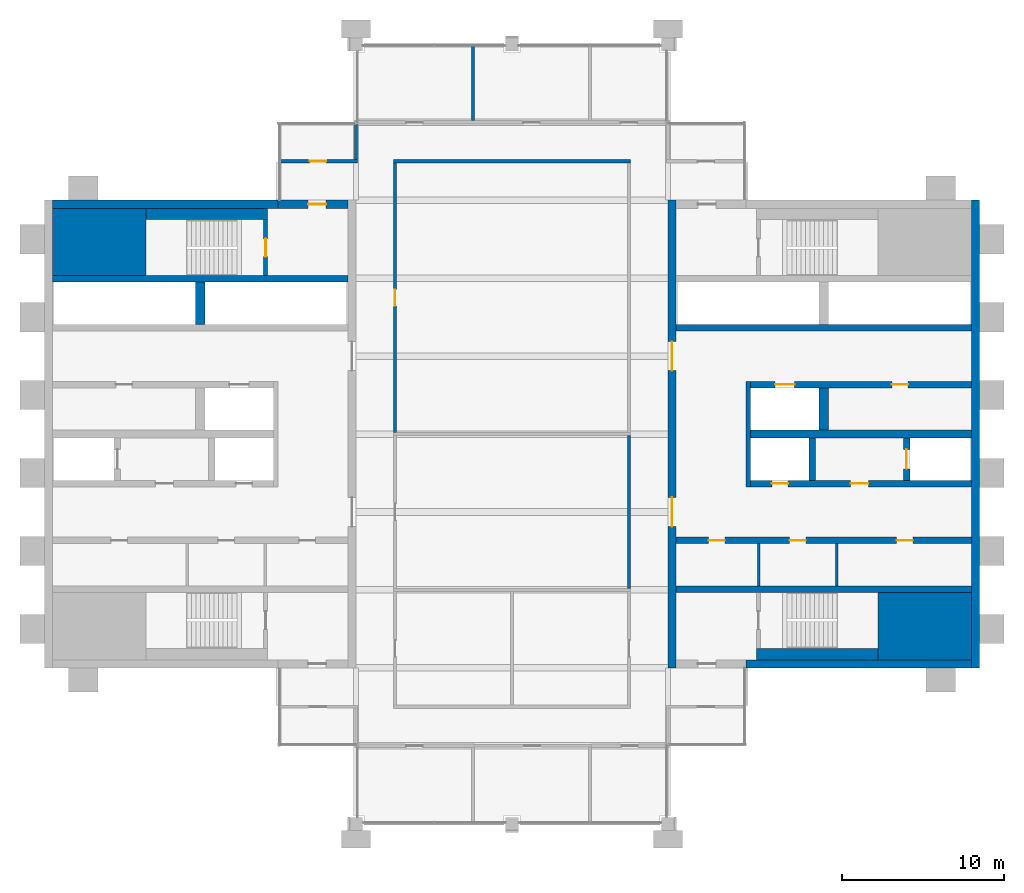
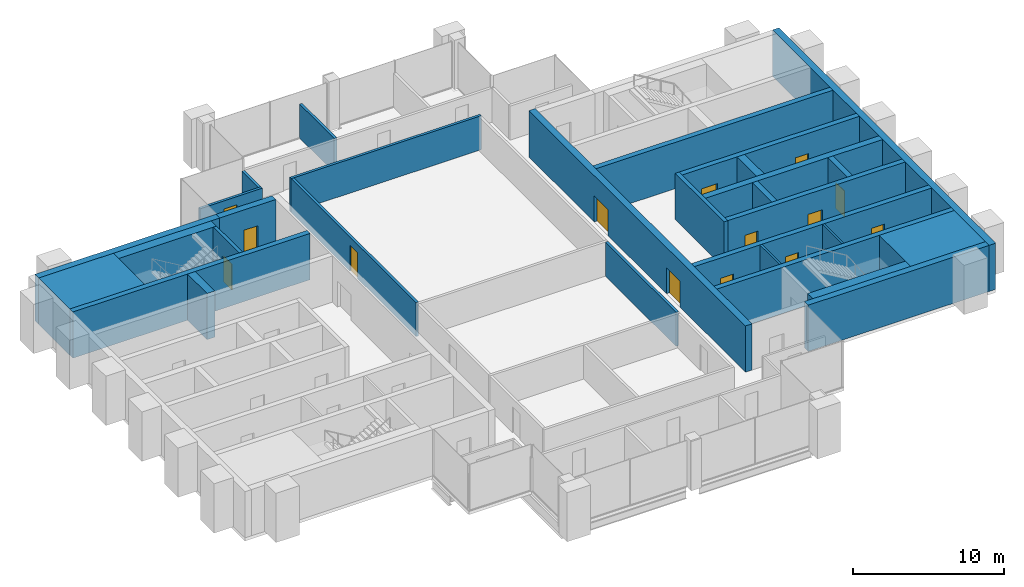
# One storey, part 9 of 11: 30 walls, 14 doors, 14 openings.
"""IFC4 building model written with IfcOpenShell, lengths in metres."""

from ifc_helpers import new_model, si_unit, direction, frame, frame_2d, origin, place, context, subcontext, project, spatial, rectangle, extrude, material, layer, layer_set, type_object, element, fill, save


model = new_model("IFC4")

# Units and contexts
model_context = context("Model", 3, precision=1e-05, world=origin(), true_north=direction((0.0, 1.0)))
body_context = subcontext(model_context, "Body", "Model", "MODEL_VIEW")
ifc_project = project(units=[si_unit("LENGTHUNIT", "METRE"), si_unit("AREAUNIT", "SQUARE_METRE"), si_unit("VOLUMEUNIT", "CUBIC_METRE"), si_unit("PLANEANGLEUNIT", "RADIAN"), si_unit("MASSUNIT", "GRAM", prefix="KILO")], contexts=[model_context])

# Site, building, storey
site_placement = place(None, origin())
site = spatial("IfcSite", under=ifc_project, at=site_placement, CompositionType="ELEMENT")
building_placement = place(site_placement, origin())
building = spatial("IfcBuilding", under=site, at=building_placement, Name="Baori Bourse Tower", CompositionType="ELEMENT")
storey_placement = place(building_placement, frame((0.0, 0.0, 354.300048828125)))
storey = spatial("IfcBuildingStorey", under=building, at=storey_placement, Name="L79", CompositionType="ELEMENT", Elevation=354.300048828125)

# Walls
ifc_material_1 = material(Name="Concrete f'c 40 MPa", Category="concrete")
wall_type_1 = type_object("IfcWallType", Name="Core corner block f'c 40", PredefinedType="SHEAR", material=ifc_material_1)
for number, where, z_axis, x_axis, name in (
    (1, (0.5, 35.824951171875, 0.0), (0.0, 0.0, 1.0), (1.0, 0.0, 0.0), "Core wall W22"),
    (2, (51.35009765625, 12.175048828125, 0.0), (0.0, 0.0, 1.0), (1.0, 0.0, 0.0), "Core wall E05"),
):
    element("IfcWall", number, at=place(storey_placement, frame(where, z_axis=z_axis, x_axis=x_axis)), inside=storey, type_object=wall_type_1, Name=name, PredefinedType="SHEAR", context=body_context, shape_type="SweptSolid", body=[
        extrude(rectangle(XDim=5.75, YDim=4.14990234375, at=frame_2d((2.875, 0.0))), origin(), (0.0, 0.0, 1.0), 3.75),
    ])
ifc_material_2 = material(Name="Blockwork partition", Category="masonry")
ifc_layer_1 = layer(ifc_material_2, 0.14990234375)
ifc_layer_set_1 = layer_set([ifc_layer_1], Name="Core partition 150")
wall_type_2 = type_object("IfcWallType", Name="Core partition 150", PredefinedType="PARTITIONING", material=ifc_layer_set_1)
for number, where, z_axis, x_axis, name in (
    (3, (48.800048828125, 14.64990234375, 0.0), (0.0, 0.0, 1.0), (0.0, 1.0, 0.0), "Partition wall E09"),
    (4, (44.0, 14.64990234375, 0.0), (0.0, 0.0, 1.0), (0.0, 1.0, 0.0), "Partition wall E10"),
):
    element("IfcWall", number, at=place(storey_placement, frame(where, z_axis=z_axis, x_axis=x_axis)), inside=storey, type_object=wall_type_2, Name=name, PredefinedType="PARTITIONING", context=body_context, shape_type="SweptSolid", body=[
        extrude(rectangle(XDim=2.60009765625, YDim=0.14990234375, at=frame_2d((1.300048828125, 0.0))), origin(), (0.0, 0.0, 1.0), 3.75),
    ])
ifc_material_3 = material(Name="Concrete f'c 40 MPa", Category="concrete")
ifc_layer_2 = layer(ifc_material_3, 0.5)
ifc_layer_set_2 = layer_set([ifc_layer_2], Name="Core wall 500 f'c 40")
wall_type_3 = type_object("IfcWallType", Name="Core wall 500 f'c 40", PredefinedType="SHEAR", material=ifc_layer_set_2)
wall_1_placement = place(storey_placement, frame((0.5, 38.14990234375, 0.0), z_axis=(0.0, 0.0, 1.0), x_axis=(1.0, 0.0, 0.0)))
element("IfcWall", 5, at=wall_1_placement, inside=storey, type_object=wall_type_3, Name="Core wall W25", PredefinedType="SHEAR", context=body_context, shape_type="SweptSolid", body=[
    extrude(rectangle(XDim=13.89990234375, YDim=0.5, at=frame_2d((6.949951171875, 0.0))), origin(), (0.0, 0.0, 1.0), 3.75),
])

# Wall, opening, door
wall_2_placement = place(storey_placement, frame((14.39990234375, 38.14990234375, 0.0), z_axis=(0.0, 0.0, 1.0), x_axis=(1.0, 0.0, 0.0)))
wall_2 = element("IfcWall", 6, at=wall_2_placement, inside=storey, type_object=wall_type_3, Name="Core wall W26", PredefinedType="SHEAR", context=body_context, shape_type="SweptSolid", body=[
    extrude(rectangle(XDim=4.300048828125, YDim=0.5, at=frame_2d((2.14990234375, 0.0))), origin(), (0.0, 0.0, 1.0), 3.75),
])
opening_1_placement = place(wall_2_placement, frame((1.85009765625, 0.0, 0.0)))
opening_1 = element("IfcOpeningElement", 7, at=opening_1_placement, cuts=wall_2, Name="Opening L79-D104", PredefinedType="OPENING", context=body_context, shape_type="SweptSolid", body=[
    extrude(rectangle(XDim=1.10009765625, YDim=2.10009765625, at=frame_2d((0.550048828125, 1.050048828125))), frame((0.0, 0.260009765625, 0.0), z_axis=(0.0, -1.0, 0.0), x_axis=(1.0, 0.0, 0.0)), (0.0, 0.0, 1.0), 0.52001953125),
])
ifc_material_4 = material(Name="Painted steel door", Category="steel")
door_type_1 = type_object("IfcDoorType", Name="Stair door 1100", OperationType="SINGLE_SWING_LEFT", PredefinedType="DOOR", material=ifc_material_4)
door_1_placement = place(opening_1_placement, origin())
door_1 = element("IfcDoor", 8, at=door_1_placement, inside=storey, type_object=door_type_1, Name="Stair vestibule door B W L79", OperationType="SINGLE_SWING_LEFT", OverallHeight=2.10009765625, OverallWidth=1.10009765625, PredefinedType="DOOR", context=body_context, shape_type="SweptSolid", body=[
    extrude(rectangle(XDim=1.10009765625, YDim=2.10009765625, at=frame_2d((0.550048828125, 1.050048828125))), frame((0.0, 0.02490234375, 0.0), z_axis=(0.0, -1.0, 0.0), x_axis=(1.0, 0.0, 0.0)), (0.0, 0.0, 1.0), 0.050048828125),
])
fill(opening_1, door_1)

# Walls
wall_3_placement = place(storey_placement, frame((57.35009765625, 38.39990234375, 0.0), z_axis=(0.0, 0.0, 1.0), x_axis=(0.0, -1.0, 0.0)))
element("IfcWall", 9, at=wall_3_placement, inside=storey, type_object=wall_type_3, Name="Core wall E01", PredefinedType="SHEAR", context=body_context, shape_type="SweptSolid", body=[
    extrude(rectangle(XDim=28.7998046875, YDim=0.5, at=frame_2d((14.39990234375, 0.0))), origin(), (0.0, 0.0, 1.0), 3.75),
])
wall_4_placement = place(storey_placement, frame((57.10009765625, 9.85009765625, 0.0), z_axis=(0.0, 0.0, 1.0), x_axis=(-1.0, 0.0, 0.0)))
element("IfcWall", 10, at=wall_4_placement, inside=storey, type_object=wall_type_3, Name="Core wall E02", PredefinedType="SHEAR", context=body_context, shape_type="SweptSolid", body=[
    extrude(rectangle(XDim=13.900146484375, YDim=0.5, at=frame_2d((6.9501953125, 0.0))), origin(), (0.0, 0.0, 1.0), 3.75),
])

# Wall, openings, doors
wall_5_placement = place(storey_placement, frame((38.64990234375, 9.60009765625, 0.0), z_axis=(0.0, 0.0, 1.0), x_axis=(0.0, 1.0, 0.0)))
wall_5 = element("IfcWall", 11, at=wall_5_placement, inside=storey, type_object=wall_type_3, Name="Core wall E04", PredefinedType="SHEAR", context=body_context, shape_type="SweptSolid", body=[
    extrude(rectangle(XDim=28.7998046875, YDim=0.5, at=frame_2d((14.39990234375, 0.0))), origin(), (0.0, 0.0, 1.0), 3.75),
])
opening_2_placement = place(wall_5_placement, frame((8.699951171875, 0.0, 0.0)))
opening_2 = element("IfcOpeningElement", 12, at=opening_2_placement, cuts=wall_5, Name="Opening L79-D207", PredefinedType="OPENING", context=body_context, shape_type="SweptSolid", body=[
    extrude(rectangle(XDim=1.800048828125, YDim=2.10009765625, at=frame_2d((0.89990234375, 1.050048828125))), frame((0.0, 0.260009765625, 0.0), z_axis=(0.0, -1.0, 0.0), x_axis=(1.0, 0.0, 0.0)), (0.0, 0.0, 1.0), 0.52001953125),
])
opening_3_placement = place(wall_5_placement, frame((18.300048828125, 0.0, 0.0)))
opening_3 = element("IfcOpeningElement", 13, at=opening_3_placement, cuts=wall_5, Name="Opening L79-D208", PredefinedType="OPENING", context=body_context, shape_type="SweptSolid", body=[
    extrude(rectangle(XDim=1.800048828125, YDim=2.10009765625, at=frame_2d((0.89990234375, 1.050048828125))), frame((0.0, 0.260009765625, 0.0), z_axis=(0.0, -1.0, 0.0), x_axis=(1.0, 0.0, 0.0)), (0.0, 0.0, 1.0), 0.52001953125),
])
ifc_material_5 = material(Name="Painted steel door", Category="steel")
door_type_2 = type_object("IfcDoorType", Name="Core lobby door 1800", OperationType="DOUBLE_DOOR_SINGLE_SWING", PredefinedType="DOOR", material=ifc_material_5)
door_2_placement = place(opening_2_placement, origin())
door_2 = element("IfcDoor", 14, at=door_2_placement, inside=storey, type_object=door_type_2, Name="Lobby door E L79", OperationType="DOUBLE_DOOR_SINGLE_SWING", OverallHeight=2.10009765625, OverallWidth=1.800048828125, PredefinedType="DOOR", context=body_context, shape_type="SweptSolid", body=[
    extrude(rectangle(XDim=1.800048828125, YDim=2.10009765625, at=frame_2d((0.89990234375, 1.050048828125))), frame((0.0, 0.02490234375, 0.0), z_axis=(0.0, -1.0, 0.0), x_axis=(1.0, 0.0, 0.0)), (0.0, 0.0, 1.0), 0.050048828125),
])
fill(opening_2, door_2)
door_3_placement = place(opening_3_placement, origin())
door_3 = element("IfcDoor", 15, at=door_3_placement, inside=storey, type_object=door_type_2, Name="Lobby door E L79", OperationType="DOUBLE_DOOR_SINGLE_SWING", OverallHeight=2.10009765625, OverallWidth=1.800048828125, PredefinedType="DOOR", context=body_context, shape_type="SweptSolid", body=[
    extrude(rectangle(XDim=1.800048828125, YDim=2.10009765625, at=frame_2d((0.89990234375, 1.050048828125))), frame((0.0, 0.02490234375, 0.0), z_axis=(0.0, -1.0, 0.0), x_axis=(1.0, 0.0, 0.0)), (0.0, 0.0, 1.0), 0.050048828125),
])
fill(opening_3, door_3)

# Wall, opening, door
ifc_material_6 = material(Name="Gypsum board partition")
ifc_layer_3 = layer(ifc_material_6, 0.199951171875)
ifc_layer_set_3 = layer_set([ifc_layer_3], Name="Plant room wall 200")
wall_type_4 = type_object("IfcWallType", Name="Plant room wall 200", PredefinedType="PARTITIONING", material=ifc_layer_set_3)
wall_6_placement = place(storey_placement, frame((14.5, 40.800048828125, 0.0), z_axis=(0.0, 0.0, 1.0), x_axis=(1.0, 0.0, 0.0)))
wall_6 = element("IfcWall", 16, at=wall_6_placement, inside=storey, type_object=wall_type_4, Name="Partition", PredefinedType="PARTITIONING", context=body_context, shape_type="SweptSolid", body=[
    extrude(rectangle(XDim=4.800048828125, YDim=0.199951171875, at=frame_2d((2.39990234375, 0.0))), origin(), (0.0, 0.0, 1.0), 2.75927734375),
])
opening_4_placement = place(wall_6_placement, frame((1.85009765625, 0.0, 0.0)))
opening_4 = element("IfcOpeningElement", 17, at=opening_4_placement, cuts=wall_6, Name="Opening L79-D06", PredefinedType="OPENING", context=body_context, shape_type="SweptSolid", body=[
    extrude(rectangle(XDim=1.0, YDim=2.10009765625, at=frame_2d((0.5, 1.050048828125))), frame((0.0, 0.10986328125, 0.0), z_axis=(0.0, -1.0, 0.0), x_axis=(1.0, 0.0, 0.0)), (0.0, 0.0, 1.0), 0.219970703125),
])
ifc_material_7 = material(Name="Timber door leaf", Category="wood")
door_type_3 = type_object("IfcDoorType", Name="Door 1000 x 2100", OperationType="SINGLE_SWING_LEFT", PredefinedType="DOOR", material=ifc_material_7)
door_4_placement = place(opening_4_placement, origin())
door_4 = element("IfcDoor", 18, at=door_4_placement, inside=storey, type_object=door_type_3, Name="Door", OperationType="SINGLE_SWING_RIGHT", OverallHeight=2.10009765625, OverallWidth=1.0, PredefinedType="DOOR", context=body_context, shape_type="SweptSolid", body=[
    extrude(rectangle(XDim=1.0, YDim=2.10009765625, at=frame_2d((0.5, 1.050048828125))), frame((0.0, 0.02490234375, 0.0), z_axis=(0.0, -1.0, 0.0), x_axis=(1.0, 0.0, 0.0)), (0.0, 0.0, 1.0), 0.050048828125),
])
fill(opening_4, door_4)

# Walls
wall_7_placement = place(storey_placement, frame((21.5, 40.800048828125, 0.0), z_axis=(0.0, 0.0, 1.0), x_axis=(1.0, 0.0, 0.0)))
element("IfcWall", 19, at=wall_7_placement, inside=storey, type_object=wall_type_4, Name="Partition", PredefinedType="PARTITIONING", context=body_context, shape_type="SweptSolid", body=[
    extrude(rectangle(XDim=14.60009765625, YDim=0.199951171875, at=frame_2d((7.300048828125, 0.0))), origin(), (0.0, 0.0, 1.0), 2.75927734375),
])
wall_8_placement = place(storey_placement, frame((19.199951171875, 40.89990234375, 0.0), z_axis=(0.0, 0.0, 1.0), x_axis=(0.0, 1.0, 0.0)))
element("IfcWall", 20, at=wall_8_placement, inside=storey, type_object=wall_type_4, Name="Partition", PredefinedType="PARTITIONING", context=body_context, shape_type="SweptSolid", body=[
    extrude(rectangle(XDim=2.2001953125, YDim=0.199951171875, at=frame_2d((1.10009765625, 0.0))), origin(), (0.0, 0.0, 1.0), 2.75927734375),
])

# Wall, opening, door
wall_9_placement = place(storey_placement, frame((21.60009765625, 24.10009765625, 0.0), z_axis=(0.0, 0.0, 1.0), x_axis=(0.0, 1.0, 0.0)))
wall_9 = element("IfcWall", 21, at=wall_9_placement, inside=storey, type_object=wall_type_4, Name="Partition", PredefinedType="PARTITIONING", context=body_context, shape_type="SweptSolid", body=[
    extrude(rectangle(XDim=16.599853515625, YDim=0.199951171875, at=frame_2d((8.2998046875, 0.0))), origin(), (0.0, 0.0, 1.0), 2.75927734375),
])
opening_5_placement = place(wall_9_placement, frame((7.800048828125, 0.0, 0.0)))
opening_5 = element("IfcOpeningElement", 22, at=opening_5_placement, cuts=wall_9, Name="Opening L79-D13", PredefinedType="OPENING", context=body_context, shape_type="SweptSolid", body=[
    extrude(rectangle(XDim=1.0, YDim=2.10009765625, at=frame_2d((0.5, 1.050048828125))), frame((0.0, 0.10986328125, 0.0), z_axis=(0.0, -1.0, 0.0), x_axis=(1.0, 0.0, 0.0)), (0.0, 0.0, 1.0), 0.219970703125),
])
door_5_placement = place(opening_5_placement, origin())
door_5 = element("IfcDoor", 23, at=door_5_placement, inside=storey, type_object=door_type_3, Name="Door", OperationType="SINGLE_SWING_LEFT", OverallHeight=2.10009765625, OverallWidth=1.0, PredefinedType="DOOR", context=body_context, shape_type="SweptSolid", body=[
    extrude(rectangle(XDim=1.0, YDim=2.10009765625, at=frame_2d((0.5, 1.050048828125))), frame((0.0, 0.02490234375, 0.0), z_axis=(0.0, -1.0, 0.0), x_axis=(1.0, 0.0, 0.0)), (0.0, 0.0, 1.0), 0.050048828125),
])
fill(opening_5, door_5)

# Walls
wall_10_placement = place(storey_placement, frame((26.39990234375, 43.300048828125, 0.0), z_axis=(0.0, 0.0, 1.0), x_axis=(0.0, 1.0, 0.0)))
element("IfcWall", 24, at=wall_10_placement, inside=storey, type_object=wall_type_4, Name="Partition", PredefinedType="PARTITIONING", context=body_context, shape_type="SweptSolid", body=[
    extrude(rectangle(XDim=4.599853515625, YDim=0.199951171875, at=frame_2d((2.2998046875, 0.0))), origin(), (0.0, 0.0, 1.0), 2.75927734375),
])
wall_11_placement = place(storey_placement, frame((36.0, 14.5, 0.0), z_axis=(0.0, 0.0, 1.0), x_axis=(0.0, 1.0, 0.0)))
element("IfcWall", 25, at=wall_11_placement, inside=storey, type_object=wall_type_4, Name="Partition", PredefinedType="PARTITIONING", context=body_context, shape_type="SweptSolid", body=[
    extrude(rectangle(XDim=9.39990234375, YDim=0.199951171875, at=frame_2d((4.699951171875, 0.0))), origin(), (0.0, 0.0, 1.0), 2.75927734375),
])

# Wall, opening, door
ifc_material_8 = material(Name="Concrete f'c 40 MPa", Category="concrete")
ifc_layer_4 = layer(ifc_material_8, 0.25)
ifc_layer_set_4 = layer_set([ifc_layer_4], Name="Shaft wall 250 f'c 40")
wall_type_5 = type_object("IfcWallType", Name="Shaft wall 250 f'c 40", PredefinedType="SHEAR", material=ifc_layer_set_4)
wall_12_placement = place(storey_placement, frame((13.625, 33.75, 0.0), z_axis=(0.0, 0.0, 1.0), x_axis=(0.0, 1.0, 0.0)))
wall_12 = element("IfcWall", 26, at=wall_12_placement, inside=storey, type_object=wall_type_5, Name="Core wall W23", PredefinedType="SHEAR", context=body_context, shape_type="SweptSolid", body=[
    extrude(rectangle(XDim=3.449951171875, YDim=0.25, at=frame_2d((1.72509765625, 0.0))), origin(), (0.0, 0.0, 1.0), 3.75),
])
opening_6_placement = place(wall_12_placement, frame((1.175048828125, 0.0, 0.0)))
opening_6 = element("IfcOpeningElement", 27, at=opening_6_placement, cuts=wall_12, Name="Opening L79-D103", PredefinedType="OPENING", context=body_context, shape_type="SweptSolid", body=[
    extrude(rectangle(XDim=1.10009765625, YDim=2.10009765625, at=frame_2d((0.550048828125, 1.050048828125))), frame((0.0, 0.135009765625, 0.0), z_axis=(0.0, -1.0, 0.0), x_axis=(1.0, 0.0, 0.0)), (0.0, 0.0, 1.0), 0.27001953125),
])
door_6_placement = place(opening_6_placement, origin())
door_6 = element("IfcDoor", 28, at=door_6_placement, inside=storey, type_object=door_type_1, Name="Stair door B W L79", OperationType="SINGLE_SWING_LEFT", OverallHeight=2.10009765625, OverallWidth=1.10009765625, PredefinedType="DOOR", context=body_context, shape_type="SweptSolid", body=[
    extrude(rectangle(XDim=1.10009765625, YDim=2.10009765625, at=frame_2d((0.550048828125, 1.050048828125))), frame((0.0, 0.02490234375, 0.0), z_axis=(0.0, -1.0, 0.0), x_axis=(1.0, 0.0, 0.0)), (0.0, 0.0, 1.0), 0.050048828125),
])
fill(opening_6, door_6)

# Walls
ifc_material_9 = material(Name="Concrete f'c 40 MPa", Category="concrete")
ifc_layer_5 = layer(ifc_material_9, 0.300048828125)
ifc_layer_set_5 = layer_set([ifc_layer_5], Name="Shaft wall 300 f'c 40")
wall_type_6 = type_object("IfcWallType", Name="Shaft wall 300 f'c 40", PredefinedType="SHEAR", material=ifc_layer_set_5)
wall_13_placement = place(storey_placement, frame((43.35009765625, 20.75, 0.0), z_axis=(0.0, 0.0, 1.0), x_axis=(0.0, 1.0, 0.0)))
element("IfcWall", 29, at=wall_13_placement, inside=storey, type_object=wall_type_6, Name="Core wall E13", PredefinedType="SHEAR", context=body_context, shape_type="SweptSolid", body=[
    extrude(rectangle(XDim=6.5, YDim=0.300048828125, at=frame_2d((3.25, 0.0))), origin(), (0.0, 0.0, 1.0), 3.75),
])
ifc_material_10 = material(Name="Concrete f'c 40 MPa", Category="concrete")
ifc_layer_6 = layer(ifc_material_10, 0.39990234375)
ifc_layer_set_6 = layer_set([ifc_layer_6], Name="Shaft wall 400 f'c 40")
wall_type_7 = type_object("IfcWallType", Name="Shaft wall 400 f'c 40", PredefinedType="SHEAR", material=ifc_layer_set_6)
wall_14_placement = place(storey_placement, frame((0.5, 33.550048828125, 0.0), z_axis=(0.0, 0.0, 1.0), x_axis=(1.0, 0.0, 0.0)))
element("IfcWall", 30, at=wall_14_placement, inside=storey, type_object=wall_type_7, Name="Core wall W21", PredefinedType="SHEAR", context=body_context, shape_type="SweptSolid", body=[
    extrude(rectangle(XDim=18.199951171875, YDim=0.39990234375, at=frame_2d((9.10009765625, 0.0))), origin(), (0.0, 0.0, 1.0), 3.75),
])
wall_15_placement = place(storey_placement, frame((38.89990234375, 14.449951171875, 0.0), z_axis=(0.0, 0.0, 1.0), x_axis=(1.0, 0.0, 0.0)))
element("IfcWall", 31, at=wall_15_placement, inside=storey, type_object=wall_type_7, Name="Core wall E08", PredefinedType="SHEAR", context=body_context, shape_type="SweptSolid", body=[
    extrude(rectangle(XDim=18.2001953125, YDim=0.39990234375, at=frame_2d((9.10009765625, 0.0))), origin(), (0.0, 0.0, 1.0), 3.75),
])

# Wall, openings, doors
wall_16_placement = place(storey_placement, frame((38.89990234375, 17.449951171875, 0.0), z_axis=(0.0, 0.0, 1.0), x_axis=(1.0, 0.0, 0.0)))
wall_16 = element("IfcWall", 32, at=wall_16_placement, inside=storey, type_object=wall_type_7, Name="Core wall E11", PredefinedType="SHEAR", context=body_context, shape_type="SweptSolid", body=[
    extrude(rectangle(XDim=18.2001953125, YDim=0.39990234375, at=frame_2d((9.10009765625, 0.0))), origin(), (0.0, 0.0, 1.0), 3.75),
])
opening_7_placement = place(wall_16_placement, frame((13.58740234375, 0.0, 0.0)))
opening_7 = element("IfcOpeningElement", 33, at=opening_7_placement, cuts=wall_16, Name="Opening L79-D209", PredefinedType="OPENING", context=body_context, shape_type="SweptSolid", body=[
    extrude(rectangle(XDim=1.0, YDim=2.10009765625, at=frame_2d((0.5, 1.050048828125))), frame((0.0, 0.2099609375, 0.0), z_axis=(0.0, -1.0, 0.0), x_axis=(1.0, 0.0, 0.0)), (0.0, 0.0, 1.0), 0.419921875),
])
opening_8_placement = place(wall_16_placement, frame((7.0, 0.0, 0.0)))
opening_8 = element("IfcOpeningElement", 34, at=opening_8_placement, cuts=wall_16, Name="Opening L79-D210", PredefinedType="OPENING", context=body_context, shape_type="SweptSolid", body=[
    extrude(rectangle(XDim=1.0, YDim=2.10009765625, at=frame_2d((0.5, 1.050048828125))), frame((0.0, 0.2099609375, 0.0), z_axis=(0.0, -1.0, 0.0), x_axis=(1.0, 0.0, 0.0)), (0.0, 0.0, 1.0), 0.419921875),
])
opening_9_placement = place(wall_16_placement, frame((2.012451171875, 0.0, 0.0)))
opening_9 = element("IfcOpeningElement", 35, at=opening_9_placement, cuts=wall_16, Name="Opening L79-D211", PredefinedType="OPENING", context=body_context, shape_type="SweptSolid", body=[
    extrude(rectangle(XDim=1.0, YDim=2.10009765625, at=frame_2d((0.5, 1.050048828125))), frame((0.0, 0.2099609375, 0.0), z_axis=(0.0, -1.0, 0.0), x_axis=(1.0, 0.0, 0.0)), (0.0, 0.0, 1.0), 0.419921875),
])
ifc_material_11 = material(Name="Painted steel door", Category="steel")
door_type_4 = type_object("IfcDoorType", Name="Plant room door 1000", OperationType="SINGLE_SWING_LEFT", PredefinedType="DOOR", material=ifc_material_11)
door_7_placement = place(opening_7_placement, origin())
door_7 = element("IfcDoor", 36, at=door_7_placement, inside=storey, type_object=door_type_4, Name="Air Handling Fan Room door E L79", OperationType="SINGLE_SWING_LEFT", OverallHeight=2.10009765625, OverallWidth=1.0, PredefinedType="DOOR", context=body_context, shape_type="SweptSolid", body=[
    extrude(rectangle(XDim=1.0, YDim=2.10009765625, at=frame_2d((0.5, 1.050048828125))), frame((0.0, 0.02490234375, 0.0), z_axis=(0.0, -1.0, 0.0), x_axis=(1.0, 0.0, 0.0)), (0.0, 0.0, 1.0), 0.050048828125),
])
fill(opening_7, door_7)
door_8_placement = place(opening_8_placement, origin())
door_8 = element("IfcDoor", 37, at=door_8_placement, inside=storey, type_object=door_type_4, Name="Electrical Room door E L79", OperationType="SINGLE_SWING_LEFT", OverallHeight=2.10009765625, OverallWidth=1.0, PredefinedType="DOOR", context=body_context, shape_type="SweptSolid", body=[
    extrude(rectangle(XDim=1.0, YDim=2.10009765625, at=frame_2d((0.5, 1.050048828125))), frame((0.0, 0.02490234375, 0.0), z_axis=(0.0, -1.0, 0.0), x_axis=(1.0, 0.0, 0.0)), (0.0, 0.0, 1.0), 0.050048828125),
])
fill(opening_8, door_8)
door_9_placement = place(opening_9_placement, origin())
door_9 = element("IfcDoor", 38, at=door_9_placement, inside=storey, type_object=door_type_4, Name="Mechanical Room door E L79", OperationType="SINGLE_SWING_LEFT", OverallHeight=2.10009765625, OverallWidth=1.0, PredefinedType="DOOR", context=body_context, shape_type="SweptSolid", body=[
    extrude(rectangle(XDim=1.0, YDim=2.10009765625, at=frame_2d((0.5, 1.050048828125))), frame((0.0, 0.02490234375, 0.0), z_axis=(0.0, -1.0, 0.0), x_axis=(1.0, 0.0, 0.0)), (0.0, 0.0, 1.0), 0.050048828125),
])
fill(opening_9, door_9)

wall_17_placement = place(storey_placement, frame((43.5, 20.949951171875, 0.0), z_axis=(0.0, 0.0, 1.0), x_axis=(1.0, 0.0, 0.0)))
wall_17 = element("IfcWall", 39, at=wall_17_placement, inside=storey, type_object=wall_type_7, Name="Core wall E12", PredefinedType="SHEAR", context=body_context, shape_type="SweptSolid", body=[
    extrude(rectangle(XDim=13.60009765625, YDim=0.39990234375, at=frame_2d((6.800048828125, 0.0))), origin(), (0.0, 0.0, 1.0), 3.75),
])
opening_10_placement = place(wall_17_placement, frame((6.14990234375, 0.0, 0.0)))
opening_10 = element("IfcOpeningElement", 40, at=opening_10_placement, cuts=wall_17, Name="Opening L79-D205", PredefinedType="OPENING", context=body_context, shape_type="SweptSolid", body=[
    extrude(rectangle(XDim=1.10009765625, YDim=2.10009765625, at=frame_2d((0.550048828125, 1.050048828125))), frame((0.0, 0.2099609375, 0.0), z_axis=(0.0, -1.0, 0.0), x_axis=(1.0, 0.0, 0.0)), (0.0, 0.0, 1.0), 0.419921875),
])
opening_11_placement = place(wall_17_placement, frame((1.300048828125, 0.0, 0.0)))
opening_11 = element("IfcOpeningElement", 41, at=opening_11_placement, cuts=wall_17, Name="Opening L79-D206", PredefinedType="OPENING", context=body_context, shape_type="SweptSolid", body=[
    extrude(rectangle(XDim=1.0, YDim=2.10009765625, at=frame_2d((0.5, 1.050048828125))), frame((0.0, 0.2099609375, 0.0), z_axis=(0.0, -1.0, 0.0), x_axis=(1.0, 0.0, 0.0)), (0.0, 0.0, 1.0), 0.419921875),
])
ifc_material_12 = material(Name="Painted steel door", Category="steel")
door_type_5 = type_object("IfcDoorType", Name="Lobby door 1100", OperationType="SINGLE_SWING_LEFT", PredefinedType="DOOR", material=ifc_material_12)
door_10_placement = place(opening_10_placement, origin())
door_10 = element("IfcDoor", 42, at=door_10_placement, inside=storey, type_object=door_type_5, Name="Firefighting lobby door E L79", OperationType="SINGLE_SWING_LEFT", OverallHeight=2.10009765625, OverallWidth=1.10009765625, PredefinedType="DOOR", context=body_context, shape_type="SweptSolid", body=[
    extrude(rectangle(XDim=1.10009765625, YDim=2.10009765625, at=frame_2d((0.550048828125, 1.050048828125))), frame((0.0, 0.02490234375, 0.0), z_axis=(0.0, -1.0, 0.0), x_axis=(1.0, 0.0, 0.0)), (0.0, 0.0, 1.0), 0.050048828125),
])
fill(opening_10, door_10)
ifc_material_13 = material(Name="Painted steel door", Category="steel")
door_type_6 = type_object("IfcDoorType", Name="Shaft door 1000", OperationType="SINGLE_SWING_LEFT", PredefinedType="DOOR", material=ifc_material_13)
door_11_placement = place(opening_11_placement, origin())
door_11 = element("IfcDoor", 43, at=door_11_placement, inside=storey, type_object=door_type_6, Name="Riser room door E L79", OperationType="SINGLE_SWING_LEFT", OverallHeight=2.10009765625, OverallWidth=1.0, PredefinedType="DOOR", context=body_context, shape_type="SweptSolid", body=[
    extrude(rectangle(XDim=1.0, YDim=2.10009765625, at=frame_2d((0.5, 1.050048828125))), frame((0.0, 0.02490234375, 0.0), z_axis=(0.0, -1.0, 0.0), x_axis=(1.0, 0.0, 0.0)), (0.0, 0.0, 1.0), 0.050048828125),
])
fill(opening_11, door_11)

# Wall, opening, door
wall_18_placement = place(storey_placement, frame((53.10009765625, 21.14990234375, 0.0), z_axis=(0.0, 0.0, 1.0), x_axis=(0.0, 1.0, 0.0)))
wall_18 = element("IfcWall", 44, at=wall_18_placement, inside=storey, type_object=wall_type_7, Name="Core wall E14", PredefinedType="SHEAR", context=body_context, shape_type="SweptSolid", body=[
    extrude(rectangle(XDim=2.60009765625, YDim=0.39990234375, at=frame_2d((1.300048828125, 0.0))), origin(), (0.0, 0.0, 1.0), 3.75),
])
opening_12_placement = place(wall_18_placement, frame((0.699951171875, 0.0, 0.0)))
opening_12 = element("IfcOpeningElement", 45, at=opening_12_placement, cuts=wall_18, Name="Opening L79-D214", PredefinedType="OPENING", context=body_context, shape_type="SweptSolid", body=[
    extrude(rectangle(XDim=1.199951171875, YDim=2.10009765625, at=frame_2d((0.60009765625, 1.050048828125))), frame((0.0, 0.2099609375, 0.0), z_axis=(0.0, -1.0, 0.0), x_axis=(1.0, 0.0, 0.0)), (0.0, 0.0, 1.0), 0.419921875),
])
ifc_material_14 = material(Name="Stainless steel door", Category="steel")
door_type_7 = type_object("IfcDoorType", Name="Lift landing door", OperationType="DOUBLE_DOOR_SLIDING", PredefinedType="DOOR", material=ifc_material_14)
door_12_placement = place(opening_12_placement, origin())
door_12 = element("IfcDoor", 46, at=door_12_placement, inside=storey, type_object=door_type_7, Name="Lift landing door FF2 E L79", OperationType="DOUBLE_DOOR_SLIDING", OverallHeight=2.10009765625, OverallWidth=1.199951171875, PredefinedType="DOOR", context=body_context, shape_type="SweptSolid", body=[
    extrude(rectangle(XDim=1.199951171875, YDim=2.10009765625, at=frame_2d((0.60009765625, 1.050048828125))), frame((0.0, 0.02490234375, 0.0), z_axis=(0.0, -1.0, 0.0), x_axis=(1.0, 0.0, 0.0)), (0.0, 0.0, 1.0), 0.050048828125),
])
fill(opening_12, door_12)

# Wall
wall_19_placement = place(storey_placement, frame((47.300048828125, 21.14990234375, 0.0), z_axis=(0.0, 0.0, 1.0), x_axis=(0.0, 1.0, 0.0)))
element("IfcWall", 47, at=wall_19_placement, inside=storey, type_object=wall_type_7, Name="Core wall E15", PredefinedType="SHEAR", context=body_context, shape_type="SweptSolid", body=[
    extrude(rectangle(XDim=2.60009765625, YDim=0.39990234375, at=frame_2d((1.300048828125, 0.0))), origin(), (0.0, 0.0, 1.0), 3.75),
])

# Wall, openings, doors
wall_20_placement = place(storey_placement, frame((43.5, 27.050048828125, 0.0), z_axis=(0.0, 0.0, 1.0), x_axis=(1.0, 0.0, 0.0)))
wall_20 = element("IfcWall", 48, at=wall_20_placement, inside=storey, type_object=wall_type_7, Name="Core wall E18", PredefinedType="SHEAR", context=body_context, shape_type="SweptSolid", body=[
    extrude(rectangle(XDim=13.60009765625, YDim=0.39990234375, at=frame_2d((6.800048828125, 0.0))), origin(), (0.0, 0.0, 1.0), 3.75),
])
opening_13_placement = place(wall_20_placement, frame((8.699951171875, 0.0, 0.0)))
opening_13 = element("IfcOpeningElement", 49, at=opening_13_placement, cuts=wall_20, Name="Opening L79-D212", PredefinedType="OPENING", context=body_context, shape_type="SweptSolid", body=[
    extrude(rectangle(XDim=1.0, YDim=2.10009765625, at=frame_2d((0.5, 1.050048828125))), frame((0.0, 0.2099609375, 0.0), z_axis=(0.0, -1.0, 0.0), x_axis=(1.0, 0.0, 0.0)), (0.0, 0.0, 1.0), 0.419921875),
])
opening_14_placement = place(wall_20_placement, frame((1.5, 0.0, 0.0)))
opening_14 = element("IfcOpeningElement", 50, at=opening_14_placement, cuts=wall_20, Name="Opening L79-D213", PredefinedType="OPENING", context=body_context, shape_type="SweptSolid", body=[
    extrude(rectangle(XDim=1.199951171875, YDim=2.10009765625, at=frame_2d((0.60009765625, 1.050048828125))), frame((0.0, 0.2099609375, 0.0), z_axis=(0.0, -1.0, 0.0), x_axis=(1.0, 0.0, 0.0)), (0.0, 0.0, 1.0), 0.419921875),
])
door_13_placement = place(opening_14_placement, origin())
door_13 = element("IfcDoor", 51, at=door_13_placement, inside=storey, type_object=door_type_7, Name="Lift landing door SV1 E L79", OperationType="DOUBLE_DOOR_SLIDING", OverallHeight=2.10009765625, OverallWidth=1.199951171875, PredefinedType="DOOR", context=body_context, shape_type="SweptSolid", body=[
    extrude(rectangle(XDim=1.199951171875, YDim=2.10009765625, at=frame_2d((0.60009765625, 1.050048828125))), frame((0.0, 0.02490234375, 0.0), z_axis=(0.0, -1.0, 0.0), x_axis=(1.0, 0.0, 0.0)), (0.0, 0.0, 1.0), 0.050048828125),
])
fill(opening_14, door_13)
door_14_placement = place(opening_13_placement, origin())
door_14 = element("IfcDoor", 52, at=door_14_placement, inside=storey, type_object=door_type_4, Name="Plant Room door E L79", OperationType="SINGLE_SWING_LEFT", OverallHeight=2.10009765625, OverallWidth=1.0, PredefinedType="DOOR", context=body_context, shape_type="SweptSolid", body=[
    extrude(rectangle(XDim=1.0, YDim=2.10009765625, at=frame_2d((0.5, 1.050048828125))), frame((0.0, 0.02490234375, 0.0), z_axis=(0.0, -1.0, 0.0), x_axis=(1.0, 0.0, 0.0)), (0.0, 0.0, 1.0), 0.050048828125),
])
fill(opening_13, door_14)

# Walls
wall_21_placement = place(storey_placement, frame((38.89990234375, 30.550048828125, 0.0), z_axis=(0.0, 0.0, 1.0), x_axis=(1.0, 0.0, 0.0)))
element("IfcWall", 53, at=wall_21_placement, inside=storey, type_object=wall_type_7, Name="Core wall E19", PredefinedType="SHEAR", context=body_context, shape_type="SweptSolid", body=[
    extrude(rectangle(XDim=18.2001953125, YDim=0.39990234375, at=frame_2d((9.10009765625, 0.0))), origin(), (0.0, 0.0, 1.0), 3.75),
])
ifc_material_15 = material(Name="Concrete f'c 40 MPa", Category="concrete")
ifc_layer_7 = layer(ifc_material_15, 0.5)
ifc_layer_set_7 = layer_set([ifc_layer_7], Name="Shaft wall 500 f'c 40")
wall_type_8 = type_object("IfcWallType", Name="Shaft wall 500 f'c 40", PredefinedType="SHEAR", material=ifc_layer_set_7)
wall_22_placement = place(storey_placement, frame((43.5, 24.0, 0.0), z_axis=(0.0, 0.0, 1.0), x_axis=(1.0, 0.0, 0.0)))
element("IfcWall", 54, at=wall_22_placement, inside=storey, type_object=wall_type_8, Name="Core wall E16", PredefinedType="SHEAR", context=body_context, shape_type="SweptSolid", body=[
    extrude(rectangle(XDim=13.60009765625, YDim=0.5, at=frame_2d((6.800048828125, 0.0))), origin(), (0.0, 0.0, 1.0), 3.75),
])
ifc_material_16 = material(Name="Concrete f'c 40 MPa", Category="concrete")
ifc_layer_8 = layer(ifc_material_16, 0.60009765625)
ifc_layer_set_8 = layer_set([ifc_layer_8], Name="Shaft wall 600 f'c 40")
wall_type_9 = type_object("IfcWallType", Name="Shaft wall 600 f'c 40", PredefinedType="SHEAR", material=ifc_layer_set_8)
for number, where, z_axis, x_axis, name in (
    (55, (9.60009765625, 30.75, 0.0), (0.0, 0.0, 1.0), (0.0, 1.0, 0.0), "Core wall W20"),
    (56, (48.0, 24.25, 0.0), (0.0, 0.0, 1.0), (0.0, 1.0, 0.0), "Core wall E17"),
):
    element("IfcWall", number, at=place(storey_placement, frame(where, z_axis=z_axis, x_axis=x_axis)), inside=storey, type_object=wall_type_9, Name=name, PredefinedType="SHEAR", context=body_context, shape_type="SweptSolid", body=[
        extrude(rectangle(XDim=2.60009765625, YDim=0.60009765625, at=frame_2d((1.300048828125, 0.0))), origin(), (0.0, 0.0, 1.0), 3.75),
    ])
ifc_material_17 = material(Name="Concrete f'c 40 MPa", Category="concrete")
ifc_layer_9 = layer(ifc_material_17, 0.699951171875)
ifc_layer_set_9 = layer_set([ifc_layer_9], Name="Shaft wall 700 f'c 40")
wall_type_10 = type_object("IfcWallType", Name="Shaft wall 700 f'c 40", PredefinedType="SHEAR", material=ifc_layer_set_9)
for number, where, z_axis, x_axis, name in (
    (57, (6.25, 37.550048828125, 0.0), (0.0, 0.0, 1.0), (1.0, 0.0, 0.0), "Core wall W24"),
    (58, (43.85009765625, 10.449951171875, 0.0), (0.0, 0.0, 1.0), (1.0, 0.0, 0.0), "Core wall E06"),
):
    element("IfcWall", number, at=place(storey_placement, frame(where, z_axis=z_axis, x_axis=x_axis)), inside=storey, type_object=wall_type_10, Name=name, PredefinedType="SHEAR", context=body_context, shape_type="SweptSolid", body=[
        extrude(rectangle(XDim=7.5, YDim=0.699951171875, at=frame_2d((3.75, 0.0))), origin(), (0.0, 0.0, 1.0), 3.75),
    ])

save(model, "model.ifc")
